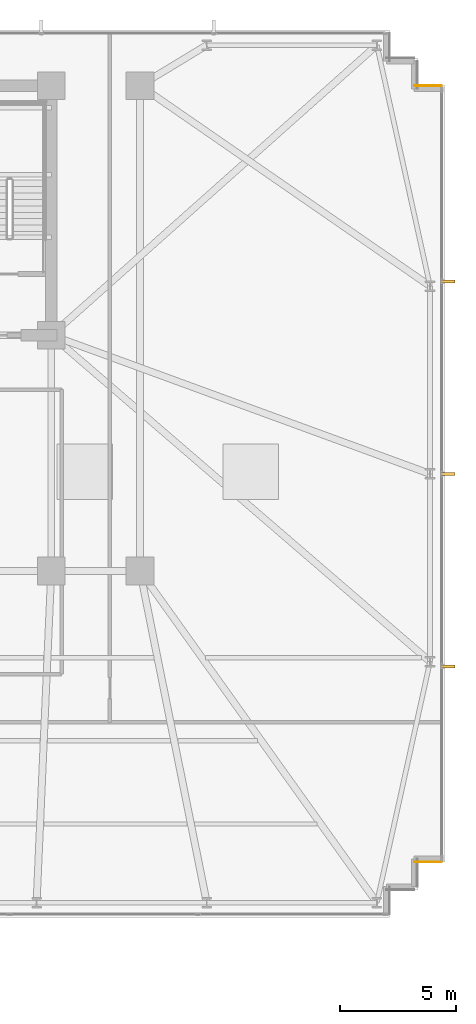
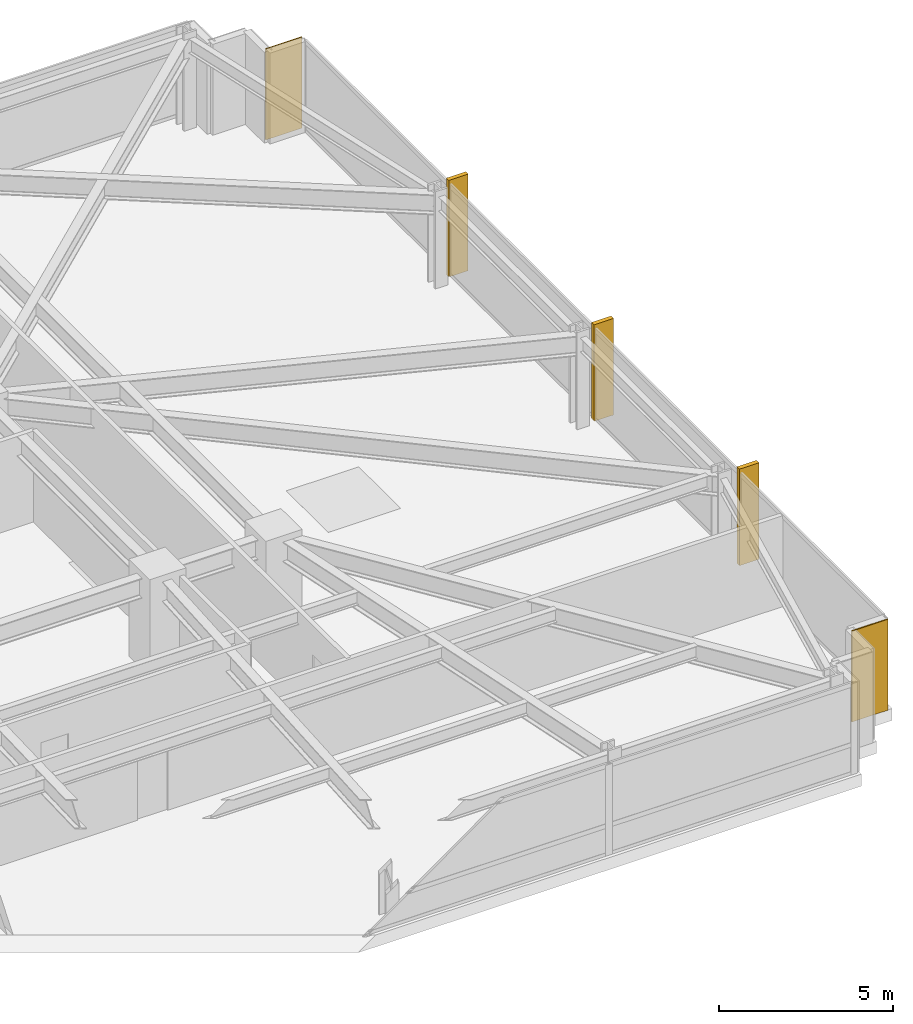
# One storey, part 31 of 31: 3 shading devices, 2 coverings.
"""IFC4 building model written with IfcOpenShell, lengths in metres."""

import ifcopenshell
import ifcopenshell.guid

model = None  # the IFC model being written
_history = None  # IfcOwnerHistory: only IFC2X3 demands one
_inside = {}  # id of a spatial element -> (the spatial element, [elements in it])
_under = {}  # id of a project, library or spatial element -> (it, [spatial elements below it])
_declared = {}  # id of a project -> (the project, [libraries it declares])
_typed = {}  # id of a type object -> (the type object, [elements of that type])
_made_of = {}  # id of a material, layer set ... -> (it, [elements and type objects made of it])


def new_model(schema):
    """Start an empty IFC model of exactly this schema.

    Asked for "IFC4X3", IfcOpenShell would pick the latest addendum, in which some entities
    have other attributes; the version numbers below select the first issue.
    IFC2X3 requires an IfcOwnerHistory on every rooted entity: one is made here for all.
    """
    global model, _history
    if schema == "IFC4X3":
        model = ifcopenshell.file(schema_version=(4, 3, 0, 0))
    else:
        model = ifcopenshell.file(schema=schema)
    _inside.clear()
    _under.clear()
    _declared.clear()
    _typed.clear()
    _made_of.clear()
    _history = None
    if model.schema == "IFC2X3":
        org = make("IfcOrganization", Name="unknown")
        user = make(
            "IfcPersonAndOrganization",
            ThePerson=make("IfcPerson", FamilyName="unknown"),
            TheOrganization=org,
        )
        app = make(
            "IfcApplication",
            ApplicationDeveloper=org,
            Version="unknown",
            ApplicationFullName="unknown",
            ApplicationIdentifier="unknown",
        )
        _history = make(
            "IfcOwnerHistory",
            OwningUser=user,
            OwningApplication=app,
            ChangeAction="ADDED",
            CreationDate=0,
        )
    return model


def make(cls, **values):
    """One entity of the class cls with the attributes given. An attribute that is None is left unset."""
    return model.create_entity(
        cls, **{name: value for name, value in values.items() if value is not None}
    )


def rooted(cls, **values):
    """An entity with a GlobalId (a new one), such as an element, a storey or a relation."""
    return make(cls, GlobalId=ifcopenshell.guid.new(), OwnerHistory=_history, **values)


def si_unit(unit_type, name, prefix=None):
    """IfcSIUnit, for example si_unit("LENGTHUNIT", "METRE", prefix="MILLI")."""
    return make("IfcSIUnit", UnitType=unit_type, Prefix=prefix, Name=name)


def assignment(units):
    """IfcUnitAssignment: the units of a project."""
    return None if units is None else make("IfcUnitAssignment", Units=units)


def point(xyz):
    """IfcCartesianPoint."""
    return None if xyz is None else make("IfcCartesianPoint", Coordinates=xyz)


def direction(xyz):
    """IfcDirection."""
    return None if xyz is None else make("IfcDirection", DirectionRatios=xyz)


def frame(location, z_axis=None, x_axis=None):
    """IfcAxis2Placement3D, a coordinate frame: its origin and axes. An axis left out is left unset."""
    return make(
        "IfcAxis2Placement3D",
        Location=point(location),
        Axis=direction(z_axis),
        RefDirection=direction(x_axis),
    )


def frame_2d(location, x_axis=None):
    """IfcAxis2Placement2D, a coordinate frame in the plane: its origin and x axis."""
    return make(
        "IfcAxis2Placement2D", Location=point(location), RefDirection=direction(x_axis)
    )


def origin():
    """The frame at (0, 0, 0) with its axes left unset."""
    return frame((0.0, 0.0, 0.0))


def origin_2d():
    """The frame at (0, 0) in the plane with its x axis left unset."""
    return frame_2d((0.0, 0.0))


def place(relative_to, where):
    """IfcLocalPlacement: puts the frame where relative to a parent placement (None: the world)."""
    return make(
        "IfcLocalPlacement", PlacementRelTo=relative_to, RelativePlacement=where
    )


def context(
    kind, dimensions, precision=None, world=None, true_north=None, identifier=None
):
    """IfcGeometricRepresentationContext, for example the 3D "Model" context."""
    return make(
        "IfcGeometricRepresentationContext",
        ContextIdentifier=identifier,
        ContextType=kind,
        CoordinateSpaceDimension=dimensions,
        Precision=precision,
        WorldCoordinateSystem=world,
        TrueNorth=true_north,
    )


def subcontext(parent, identifier, kind, view, scale=None):
    """IfcGeometricRepresentationSubContext, for example "Body" below "Model"."""
    return make(
        "IfcGeometricRepresentationSubContext",
        ContextIdentifier=identifier,
        ContextType=kind,
        ParentContext=parent,
        TargetScale=scale,
        TargetView=view,
    )


def project(units=None, contexts=None):
    """IfcProject with its units and contexts."""
    return rooted(
        "IfcProject",
        Name="project",
        RepresentationContexts=contexts,
        UnitsInContext=assignment(units),
    )


def spatial(cls, under=None, at=None, **own):
    """A site, building, storey or space (cls), placed at a placement, below another one or the project."""
    s = rooted(cls, ObjectPlacement=at, **own)
    if under is not None:
        _under.setdefault(under.id(), (under, []))[1].append(s)
    return s


def profile(cls, at=None, kind="AREA", **sizes):
    """A parametric profile (cls). Its sizes go by their IFC names, for example OverallWidth=200.0."""
    return make(cls, ProfileType=kind, Position=at, **sizes)


def rectangle(**sizes):
    """IfcRectangleProfileDef."""
    return profile("IfcRectangleProfileDef", **sizes)


def extrude(swept, where, along, depth):
    """IfcExtrudedAreaSolid: the profile swept, set in the frame where, extruded along a direction by depth."""
    return make(
        "IfcExtrudedAreaSolid",
        SweptArea=swept,
        Position=where,
        ExtrudedDirection=direction(along),
        Depth=depth,
    )


def shape(context_of_items, identifier, shape_type, items):
    """IfcShapeRepresentation: the items that make up one representation, for example the "Body"."""
    return make(
        "IfcShapeRepresentation",
        ContextOfItems=context_of_items,
        RepresentationIdentifier=identifier,
        RepresentationType=shape_type,
        Items=items,
    )


def material(Name=None, Category=None):
    """IfcMaterial."""
    return make("IfcMaterial", Name=Name, Category=Category)


def layer(
    of_material, thickness, ventilated=None, Name=None, Category=None, Priority=None
):
    """IfcMaterialLayer: one layer of a wall or slab, of a material (None: an air gap)."""
    return make(
        "IfcMaterialLayer",
        Material=of_material,
        LayerThickness=thickness,
        IsVentilated=ventilated,
        Name=Name,
        Category=Category,
        Priority=Priority,
    )


def layer_set(layers, Name=None):
    """IfcMaterialLayerSet."""
    return make("IfcMaterialLayerSet", MaterialLayers=layers, LayerSetName=Name)


def made_of(thing, what):
    """Note that an element or type object is made of a material, layer set ...; save() writes the relation."""
    if what is not None:
        _made_of.setdefault(what.id(), (what, []))[1].append(thing)
    return thing


def type_object(cls, material=None, **own):
    """A type object (cls), such as IfcWallType, which elements share."""
    return made_of(rooted(cls, **own), material)


def element(
    cls,
    number,
    at=None,
    inside=None,
    cuts=None,
    type_object=None,
    material=None,
    context=None,
    identifier="Body",
    shape_type=None,
    held_by="IfcProductDefinitionShape",
    body=None,
    shapes=None,
    **own,
):
    """One element of the class cls, such as IfcWall. Its Tag is "e" and its number.

    at: its placement. inside: the storey or other place that contains it. cuts: it is an
    opening in that element (IfcRelVoidsElement). A single representation is given by context,
    identifier, shape_type and body (its items); several are given by shapes. held_by: the class
    of the entity that holds the representations. save() writes the other relations.
    """
    e = rooted(cls, Tag="e%d" % number, ObjectPlacement=at, **own)
    if body is not None:
        shapes = [shape(context, identifier, shape_type, body)]
    if shapes is not None:
        e.Representation = make(held_by, Representations=shapes)
    if inside is not None:
        _inside.setdefault(inside.id(), (inside, []))[1].append(e)
    if cuts is not None:
        rooted(
            "IfcRelVoidsElement", RelatingBuildingElement=cuts, RelatedOpeningElement=e
        )
    if type_object is not None:
        _typed.setdefault(type_object.id(), (type_object, []))[1].append(e)
    return made_of(e, material)


def aggregate(whole, parts):
    """IfcRelAggregates: a whole, such as a stair, and the parts it consists of."""
    return rooted("IfcRelAggregates", RelatingObject=whole, RelatedObjects=parts)


def save(model, path):
    """Write the relations noted so far, then the file.

    IfcRelAggregates (storeys below a building ...), IfcRelContainedInSpatialStructure (elements
    in a storey), IfcRelDefinesByType, IfcRelAssociatesMaterial and IfcRelDeclares: one each for
    every whole, place, type object, material and project.
    """
    for whole, parts in _under.values():
        aggregate(whole, parts)
    for where, things in _inside.values():
        rooted(
            "IfcRelContainedInSpatialStructure",
            RelatedElements=things,
            RelatingStructure=where,
        )
    for kind, things in _typed.values():
        rooted("IfcRelDefinesByType", RelatedObjects=things, RelatingType=kind)
    for what, things in _made_of.values():
        rooted("IfcRelAssociatesMaterial", RelatedObjects=things, RelatingMaterial=what)
    for by, libraries in _declared.values():
        rooted("IfcRelDeclares", RelatingContext=by, RelatedDefinitions=libraries)
    model.write(path)


model = new_model("IFC4")

# Units and contexts
model_context = context("Model", 3, precision=1e-05, world=origin(), true_north=direction((0.0, 1.0)))
body_context = subcontext(model_context, "Body", "Model", "MODEL_VIEW")
ifc_project = project(units=[si_unit("LENGTHUNIT", "METRE"), si_unit("AREAUNIT", "SQUARE_METRE"), si_unit("VOLUMEUNIT", "CUBIC_METRE"), si_unit("PLANEANGLEUNIT", "RADIAN"), si_unit("MASSUNIT", "GRAM", prefix="KILO")], contexts=[model_context])

# Site, building, storey
site_placement = place(None, origin())
site = spatial("IfcSite", under=ifc_project, at=site_placement, CompositionType="ELEMENT")
building_placement = place(site_placement, origin())
building = spatial("IfcBuilding", under=site, at=building_placement, Name="Yelkora Congress Tower", CompositionType="ELEMENT")
storey_placement = place(building_placement, frame((0.0, 0.0, 30.39990234375)))
storey = spatial("IfcBuildingStorey", under=building, at=storey_placement, Name="L06", CompositionType="ELEMENT", Elevation=30.39990234375)

# Coverings
ifc_material_1 = material(Name="Anatolian bush-hammered limestone", Category="masonry")
ifc_layer_1 = layer(ifc_material_1, 0.0400390625)
ifc_layer_set_1 = layer_set([ifc_layer_1], Name="Anatolian bush-hammered limestone")
covering_type = type_object("IfcCoveringType", Name="COV-CLAD-SPANDREL-40", PredefinedType="CLADDING", material=ifc_layer_set_1)
for number, where, z_axis, x_axis, name in (
    (1, (69.4599609375, 46.195068359375, 0.0), (0.0, 0.0, 1.0), (1.0, 0.0, 0.0), "L06 Anatolian Limestone Cladding EW-L06-SR14"),
    (2, (70.659912109375, 12.60498046875, 0.0), (0.0, 0.0, 1.0), (-1.0, 0.0, 0.0), "L06 Anatolian Limestone Cladding EW-L06-SR16"),
):
    element("IfcCovering", number, at=place(storey_placement, frame(where, z_axis=z_axis, x_axis=x_axis)), inside=storey, type_object=covering_type, Name=name, PredefinedType="CLADDING", context=body_context, shape_type="SweptSolid", body=[
        extrude(rectangle(XDim=1.199951171875, YDim=0.0400390625, at=frame_2d((0.60009765625, 0.0))), origin(), (0.0, 0.0, 1.0), 3.18017578125),
    ])

# Shading devices
ifc_material_2 = material(Name="Champagne anodised aluminium", Category="aluminium")
ifc_layer_2 = layer(ifc_material_2, 3.39990234375)
ifc_layer_set_2 = layer_set([ifc_layer_2], Name="Champagne anodised aluminium")
shading_device_type = type_object("IfcShadingDeviceType", Name="SHD-FIN-ALU-640", PredefinedType="USERDEFINED", material=ifc_layer_set_2)
for number, where, z_axis, x_axis, name in (
    (3, (70.919921875, 37.72998046875, -0.02978515625), (0.0, 0.0, 1.0), (0.0, -1.0, 0.0), "L06 Vertical Anodised Solar Fin 15-1"),
    (4, (70.919921875, 29.39990234375, -0.02978515625), (0.0, 0.0, 1.0), (0.0, -1.0, 0.0), "L06 Vertical Anodised Solar Fin 15-2"),
    (5, (70.919921875, 21.070068359375, -0.02978515625), (0.0, 0.0, 1.0), (0.0, -1.0, 0.0), "L06 Vertical Anodised Solar Fin 15-3"),
):
    element("IfcShadingDevice", number, at=place(storey_placement, frame(where, z_axis=z_axis, x_axis=x_axis)), inside=storey, type_object=shading_device_type, Name=name, ObjectType="FIN", PredefinedType="USERDEFINED", context=body_context, shape_type="SweptSolid", body=[
        extrude(rectangle(XDim=0.139892578125, YDim=0.639892578125, at=origin_2d()), origin(), (0.0, 0.0, 1.0), 3.3798828125),
    ])

save(model, "model.ifc")
